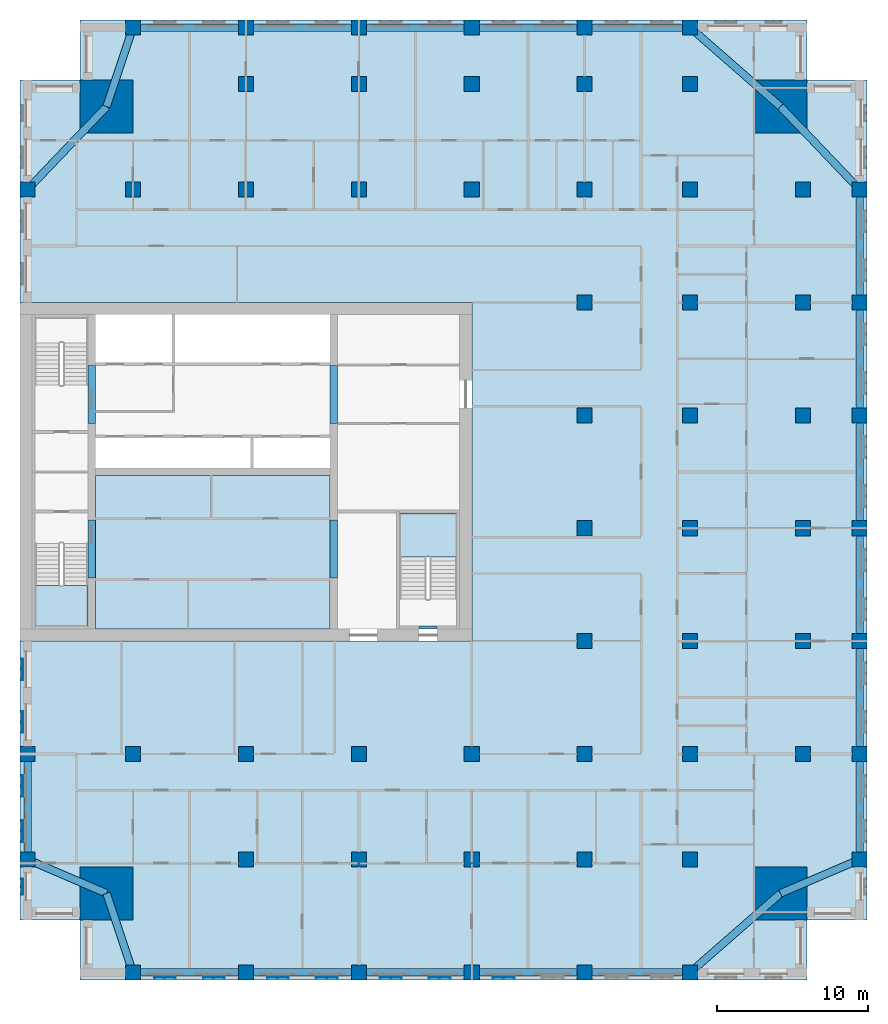
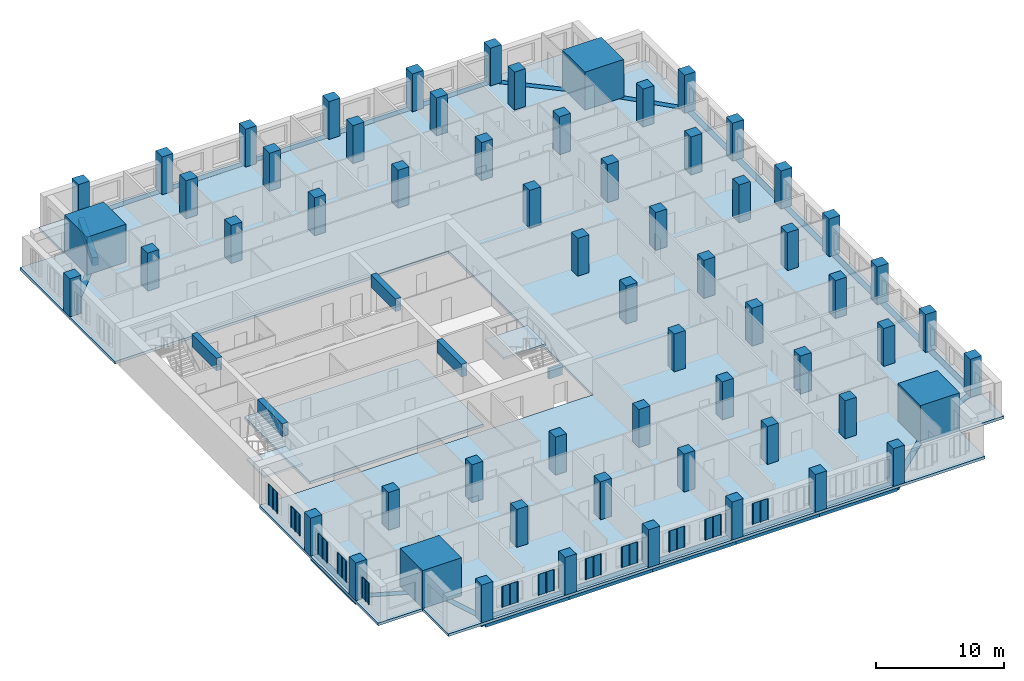
# One storey, part 1 of 14: 62 columns, 30 beams, 12 plates, 4 slabs, 2 elements without a shape of their own.
"""IFC4 building model written with IfcOpenShell, lengths in metres."""

from ifc_helpers import new_model, si_unit, direction, frame, origin, origin_2d, place, context, subcontext, project, spatial, polyline, rectangle, outline, extrude, material, layer, layer_set, material_profile, profile_set, type_object, element, aggregate, save


model = new_model("IFC4")

# Units and contexts
model_context = context("Model", 3, precision=1e-05, world=origin(), true_north=direction((0.0, 1.0)))
body_context = subcontext(model_context, "Body", "Model", "MODEL_VIEW")
ifc_project = project(units=[si_unit("LENGTHUNIT", "METRE"), si_unit("AREAUNIT", "SQUARE_METRE"), si_unit("VOLUMEUNIT", "CUBIC_METRE"), si_unit("PLANEANGLEUNIT", "RADIAN"), si_unit("MASSUNIT", "GRAM", prefix="KILO")], contexts=[model_context])

# Site, building, storey
site_placement = place(None, origin())
site = spatial("IfcSite", under=ifc_project, at=site_placement, CompositionType="ELEMENT")
building_placement = place(site_placement, origin())
building = spatial("IfcBuilding", under=site, at=building_placement, Name="Tamorin Gate", CompositionType="ELEMENT")
storey_placement = place(building_placement, frame((0.0, 0.0, 137.39990234375)))
storey = spatial("IfcBuildingStorey", under=building, at=storey_placement, Name="L33", CompositionType="ELEMENT", Elevation=137.39990234375)

# Columns
ifc_material_1 = material(Name="Concrete C70/85", Category="concrete")
ifc_material_profile_1 = material_profile(ifc_material_1, rectangle(XDim=1.0, YDim=1.0, at=origin_2d()), Name="RC 1000x1000")
ifc_profile_set_1 = profile_set([ifc_material_profile_1], Name="Concrete C70/85")
column_type_1 = type_object("IfcColumnType", Name="RC column 1000x1000 C70/85", PredefinedType="COLUMN", material=ifc_profile_set_1)
for number, where, z_axis, x_axis, name in (
    (1, (85.75, 45.5, 0.0), (0.0, 0.0, 1.0), (1.0, 0.0, 0.0), "Ring column L33"),
    (2, (85.75, 52.5, 0.0), (0.0, 0.0, 1.0), (1.0, 0.0, 0.0), "Ring column L33"),
    (3, (85.75, 60.0, 0.0), (0.0, 0.0, 1.0), (1.0, 0.0, 0.0), "Ring column L33"),
    (4, (85.75, 67.5, 0.0), (0.0, 0.0, 1.0), (1.0, 0.0, 0.0), "Ring column L33"),
    (5, (85.75, 75.0, 0.0), (0.0, 0.0, 1.0), (1.0, 0.0, 0.0), "Ring column L33"),
    (6, (85.75, 82.5, 0.0), (0.0, 0.0, 1.0), (1.0, 0.0, 0.0), "Ring column L33"),
    (7, (85.75, 90.0, 0.0), (0.0, 0.0, 1.0), (1.0, 0.0, 0.0), "Ring column L33"),
    (8, (37.5, 100.75, 0.0), (0.0, 0.0, 1.0), (1.0, 0.0, 0.0), "Ring column L33"),
    (9, (45.0, 100.75, 0.0), (0.0, 0.0, 1.0), (1.0, 0.0, 0.0), "Ring column L33"),
    (10, (52.5, 100.75, 0.0), (0.0, 0.0, 1.0), (1.0, 0.0, 0.0), "Ring column L33"),
    (11, (60.0, 100.75, 0.0), (0.0, 0.0, 1.0), (1.0, 0.0, 0.0), "Ring column L33"),
    (12, (67.5, 100.75, 0.0), (0.0, 0.0, 1.0), (1.0, 0.0, 0.0), "Ring column L33"),
    (13, (74.5, 100.75, 0.0), (0.0, 0.0, 1.0), (1.0, 0.0, 0.0), "Ring column L33"),
    (14, (30.5, 45.5, 0.0), (0.0, 0.0, 1.0), (1.0, 0.0, 0.0), "Ring column L33"),
    (15, (30.5, 52.5, 0.0), (0.0, 0.0, 1.0), (1.0, 0.0, 0.0), "Ring column L33"),
    (16, (30.5, 90.0, 0.0), (0.0, 0.0, 1.0), (1.0, 0.0, 0.0), "Ring column L33"),
    (17, (37.5, 38.0, 0.0), (0.0, 0.0, 1.0), (1.0, 0.0, 0.0), "Ring column L33"),
    (18, (37.5, 52.5, 0.0), (0.0, 0.0, 1.0), (1.0, 0.0, 0.0), "Interior column L33"),
    (19, (37.5, 90.0, 0.0), (0.0, 0.0, 1.0), (1.0, 0.0, 0.0), "Interior column L33"),
    (20, (45.0, 38.0, 0.0), (0.0, 0.0, 1.0), (1.0, 0.0, 0.0), "Ring column L33"),
    (21, (45.0, 45.5, 0.0), (0.0, 0.0, 1.0), (1.0, 0.0, 0.0), "Interior column L33"),
    (22, (45.0, 52.5, 0.0), (0.0, 0.0, 1.0), (1.0, 0.0, 0.0), "Interior column L33"),
    (23, (45.0, 90.0, 0.0), (0.0, 0.0, 1.0), (1.0, 0.0, 0.0), "Interior column L33"),
    (24, (45.0, 97.0, 0.0), (0.0, 0.0, 1.0), (1.0, 0.0, 0.0), "Interior column L33"),
    (25, (52.5, 38.0, 0.0), (0.0, 0.0, 1.0), (1.0, 0.0, 0.0), "Ring column L33"),
    (26, (52.5, 45.5, 0.0), (0.0, 0.0, 1.0), (1.0, 0.0, 0.0), "Interior column L33"),
    (27, (52.5, 52.5, 0.0), (0.0, 0.0, 1.0), (1.0, 0.0, 0.0), "Interior column L33"),
    (28, (52.5, 90.0, 0.0), (0.0, 0.0, 1.0), (1.0, 0.0, 0.0), "Interior column L33"),
    (29, (52.5, 97.0, 0.0), (0.0, 0.0, 1.0), (1.0, 0.0, 0.0), "Interior column L33"),
    (30, (60.0, 38.0, 0.0), (0.0, 0.0, 1.0), (1.0, 0.0, 0.0), "Ring column L33"),
    (31, (60.0, 45.5, 0.0), (0.0, 0.0, 1.0), (1.0, 0.0, 0.0), "Interior column L33"),
    (32, (60.0, 52.5, 0.0), (0.0, 0.0, 1.0), (1.0, 0.0, 0.0), "Interior column L33"),
    (33, (60.0, 90.0, 0.0), (0.0, 0.0, 1.0), (1.0, 0.0, 0.0), "Interior column L33"),
    (34, (60.0, 97.0, 0.0), (0.0, 0.0, 1.0), (1.0, 0.0, 0.0), "Interior column L33"),
    (35, (67.5, 38.0, 0.0), (0.0, 0.0, 1.0), (1.0, 0.0, 0.0), "Ring column L33"),
    (36, (67.5, 45.5, 0.0), (0.0, 0.0, 1.0), (1.0, 0.0, 0.0), "Interior column L33"),
    (37, (67.5, 52.5, 0.0), (0.0, 0.0, 1.0), (1.0, 0.0, 0.0), "Interior column L33"),
    (38, (67.5, 60.0, 0.0), (0.0, 0.0, 1.0), (1.0, 0.0, 0.0), "Interior column L33"),
    (39, (67.5, 67.5, 0.0), (0.0, 0.0, 1.0), (1.0, 0.0, 0.0), "Interior column L33"),
    (40, (67.5, 75.0, 0.0), (0.0, 0.0, 1.0), (1.0, 0.0, 0.0), "Interior column L33"),
    (41, (67.5, 82.5, 0.0), (0.0, 0.0, 1.0), (1.0, 0.0, 0.0), "Interior column L33"),
    (42, (67.5, 90.0, 0.0), (0.0, 0.0, 1.0), (1.0, 0.0, 0.0), "Interior column L33"),
    (43, (67.5, 97.0, 0.0), (0.0, 0.0, 1.0), (1.0, 0.0, 0.0), "Interior column L33"),
    (44, (74.5, 38.0, 0.0), (0.0, 0.0, 1.0), (1.0, 0.0, 0.0), "Ring column L33"),
    (45, (74.5, 45.5, 0.0), (0.0, 0.0, 1.0), (1.0, 0.0, 0.0), "Interior column L33"),
    (46, (74.5, 52.5, 0.0), (0.0, 0.0, 1.0), (1.0, 0.0, 0.0), "Interior column L33"),
    (47, (74.5, 60.0, 0.0), (0.0, 0.0, 1.0), (1.0, 0.0, 0.0), "Interior column L33"),
    (48, (74.5, 67.5, 0.0), (0.0, 0.0, 1.0), (1.0, 0.0, 0.0), "Interior column L33"),
    (49, (74.5, 75.0, 0.0), (0.0, 0.0, 1.0), (1.0, 0.0, 0.0), "Interior column L33"),
    (50, (74.5, 82.5, 0.0), (0.0, 0.0, 1.0), (1.0, 0.0, 0.0), "Interior column L33"),
    (51, (74.5, 90.0, 0.0), (0.0, 0.0, 1.0), (1.0, 0.0, 0.0), "Interior column L33"),
    (52, (74.5, 97.0, 0.0), (0.0, 0.0, 1.0), (1.0, 0.0, 0.0), "Interior column L33"),
    (53, (82.0, 52.5, 0.0), (0.0, 0.0, 1.0), (1.0, 0.0, 0.0), "Interior column L33"),
    (54, (82.0, 60.0, 0.0), (0.0, 0.0, 1.0), (1.0, 0.0, 0.0), "Interior column L33"),
    (55, (82.0, 67.5, 0.0), (0.0, 0.0, 1.0), (1.0, 0.0, 0.0), "Interior column L33"),
    (56, (82.0, 75.0, 0.0), (0.0, 0.0, 1.0), (1.0, 0.0, 0.0), "Interior column L33"),
    (57, (82.0, 82.5, 0.0), (0.0, 0.0, 1.0), (1.0, 0.0, 0.0), "Interior column L33"),
    (58, (82.0, 90.0, 0.0), (0.0, 0.0, 1.0), (1.0, 0.0, 0.0), "Interior column L33"),
):
    element("IfcColumn", number, at=place(storey_placement, frame(where, z_axis=z_axis, x_axis=x_axis)), inside=storey, type_object=column_type_1, Name=name, PredefinedType="COLUMN", context=body_context, shape_type="SweptSolid", body=[
        extrude(rectangle(XDim=1.0, YDim=1.0, at=origin_2d()), origin(), (0.0, 0.0, 1.0), 3.60009765625),
    ])
ifc_material_profile_2 = material_profile(ifc_material_1, rectangle(XDim=3.5, YDim=3.5, at=origin_2d()), Name="RC 3500x3500")
ifc_profile_set_2 = profile_set([ifc_material_profile_2], Name="Concrete C70/85")
column_type_2 = type_object("IfcColumnType", Name="RC column 3500x3500 C70/85", PredefinedType="COLUMN", material=ifc_profile_set_2)
for number, where, z_axis, x_axis, name in (
    (59, (35.75, 43.25, 0.0), (0.0, 0.0, 1.0), (1.0, 0.0, 0.0), "Mega column SW L33"),
    (60, (80.5, 43.25, 0.0), (0.0, 0.0, 1.0), (1.0, 0.0, 0.0), "Mega column SE L33"),
    (61, (35.75, 95.5, 0.0), (0.0, 0.0, 1.0), (1.0, 0.0, 0.0), "Mega column NW L33"),
    (62, (80.5, 95.5, 0.0), (0.0, 0.0, 1.0), (1.0, 0.0, 0.0), "Mega column NE L33"),
):
    element("IfcColumn", number, at=place(storey_placement, frame(where, z_axis=z_axis, x_axis=x_axis)), inside=storey, type_object=column_type_2, Name=name, PredefinedType="COLUMN", context=body_context, shape_type="SweptSolid", body=[
        extrude(rectangle(XDim=3.5, YDim=3.5, at=origin_2d()), origin(), (0.0, 0.0, 1.0), 3.60009765625),
    ])

# Beams
ifc_material_2 = material(Name="Concrete C60/75", Category="concrete")
ifc_material_profile_3 = material_profile(ifc_material_2, rectangle(XDim=0.5, YDim=1.199951171875, at=origin_2d()), Name="RC 500x1200")
ifc_profile_set_3 = profile_set([ifc_material_profile_3], Name="Concrete C60/75")
beam_type_1 = type_object("IfcBeamType", Name="RC coupling beam 500x1200 C60/75", PredefinedType="BEAM", material=ifc_profile_set_3)
for number, where, z_axis, x_axis, name in (
    (63, (34.75, 64.199951171875, 3.0), (0.0, 1.0, 0.0), (-1.0, 0.0, 0.0), "Coupling beam L33"),
    (64, (34.75, 74.449951171875, 3.0), (0.0, 1.0, 0.0), (-1.0, 0.0, 0.0), "Coupling beam L33"),
    (65, (50.85009765625, 64.199951171875, 3.0), (0.0, 1.0, 0.0), (-1.0, 0.0, 0.0), "Coupling beam L33"),
    (66, (50.85009765625, 74.449951171875, 3.0), (0.0, 1.0, 0.0), (-1.0, 0.0, 0.0), "Coupling beam L33"),
):
    element("IfcBeam", number, at=place(storey_placement, frame(where, z_axis=z_axis, x_axis=x_axis)), inside=storey, type_object=beam_type_1, Name=name, PredefinedType="BEAM", context=body_context, shape_type="SweptSolid", body=[
        extrude(rectangle(XDim=0.5, YDim=1.199951171875, at=origin_2d()), origin(), (0.0, 0.0, 1.0), 3.85009765625),
    ])
ifc_material_3 = material(Name="Concrete C50/60", Category="concrete")
ifc_material_profile_4 = material_profile(ifc_material_3, rectangle(XDim=0.5, YDim=0.75, at=origin_2d()), Name="RC 500x750")
ifc_profile_set_4 = profile_set([ifc_material_profile_4], Name="Concrete C50/60")
beam_type_2 = type_object("IfcBeamType", Name="RC spandrel 500x750 C50/60", PredefinedType="BEAM", material=ifc_profile_set_4)
for number, where, z_axis, x_axis, name in (
    (67, (37.5, 38.0, -0.375), (1.0, 0.0, 0.0), (0.0, 1.0, 0.0), "Spandrel beam L33"),
    (68, (45.0, 38.0, -0.375), (1.0, 0.0, 0.0), (0.0, 1.0, 0.0), "Spandrel beam L33"),
    (69, (52.5, 38.0, -0.375), (1.0, 0.0, 0.0), (0.0, 1.0, 0.0), "Spandrel beam L33"),
    (70, (60.0, 38.0, -0.375), (1.0, 0.0, 0.0), (0.0, 1.0, 0.0), "Spandrel beam L33"),
):
    element("IfcBeam", number, at=place(storey_placement, frame(where, z_axis=z_axis, x_axis=x_axis)), inside=storey, type_object=beam_type_2, Name=name, PredefinedType="BEAM", context=body_context, shape_type="SweptSolid", body=[
        extrude(rectangle(XDim=0.5, YDim=0.75, at=origin_2d()), origin(), (0.0, 0.0, 1.0), 7.5),
    ])
for number, where, z_axis, x_axis, name in (
    (71, (67.5, 38.0, -0.375), (1.0, 0.0, 0.0), (0.0, 1.0, 0.0), "Spandrel beam L33"),
    (72, (85.75, 45.5, -0.375), (0.0, 1.0, 0.0), (-1.0, 0.0, 0.0), "Spandrel beam L33"),
):
    element("IfcBeam", number, at=place(storey_placement, frame(where, z_axis=z_axis, x_axis=x_axis)), inside=storey, type_object=beam_type_2, Name=name, PredefinedType="BEAM", context=body_context, shape_type="SweptSolid", body=[
        extrude(rectangle(XDim=0.5, YDim=0.75, at=origin_2d()), origin(), (0.0, 0.0, 1.0), 7.0),
    ])
for number, where, z_axis, x_axis, name in (
    (73, (85.75, 52.5, -0.375), (0.0, 1.0, 0.0), (-1.0, 0.0, 0.0), "Spandrel beam L33"),
    (74, (85.75, 60.0, -0.375), (0.0, 1.0, 0.0), (-1.0, 0.0, 0.0), "Spandrel beam L33"),
    (75, (85.75, 67.5, -0.375), (0.0, 1.0, 0.0), (-1.0, 0.0, 0.0), "Spandrel beam L33"),
    (76, (85.75, 75.0, -0.375), (0.0, 1.0, 0.0), (-1.0, 0.0, 0.0), "Spandrel beam L33"),
    (77, (85.75, 82.5, -0.375), (0.0, 1.0, 0.0), (-1.0, 0.0, 0.0), "Spandrel beam L33"),
):
    element("IfcBeam", number, at=place(storey_placement, frame(where, z_axis=z_axis, x_axis=x_axis)), inside=storey, type_object=beam_type_2, Name=name, PredefinedType="BEAM", context=body_context, shape_type="SweptSolid", body=[
        extrude(rectangle(XDim=0.5, YDim=0.75, at=origin_2d()), origin(), (0.0, 0.0, 1.0), 7.5),
    ])
beam_1_placement = place(storey_placement, frame((74.5, 100.75, -0.375), z_axis=(-1.0, 0.0, 0.0), x_axis=(0.0, -1.0, 0.0)))
element("IfcBeam", 78, at=beam_1_placement, inside=storey, type_object=beam_type_2, Name="Spandrel beam L33", PredefinedType="BEAM", context=body_context, shape_type="SweptSolid", body=[
    extrude(rectangle(XDim=0.5, YDim=0.75, at=origin_2d()), origin(), (0.0, 0.0, 1.0), 7.0),
])
for number, where, z_axis, x_axis, name in (
    (79, (67.5, 100.75, -0.375), (-1.0, 0.0, 0.0), (0.0, -1.0, 0.0), "Spandrel beam L33"),
    (80, (60.0, 100.75, -0.375), (-1.0, 0.0, 0.0), (0.0, -1.0, 0.0), "Spandrel beam L33"),
    (81, (52.5, 100.75, -0.375), (-1.0, 0.0, 0.0), (0.0, -1.0, 0.0), "Spandrel beam L33"),
    (82, (45.0, 100.75, -0.375), (-1.0, 0.0, 0.0), (0.0, -1.0, 0.0), "Spandrel beam L33"),
):
    element("IfcBeam", number, at=place(storey_placement, frame(where, z_axis=z_axis, x_axis=x_axis)), inside=storey, type_object=beam_type_2, Name=name, PredefinedType="BEAM", context=body_context, shape_type="SweptSolid", body=[
        extrude(rectangle(XDim=0.5, YDim=0.75, at=origin_2d()), origin(), (0.0, 0.0, 1.0), 7.5),
    ])
beam_2_placement = place(storey_placement, frame((30.5, 52.5, -0.375), z_axis=(0.0, -1.0, 0.0), x_axis=(1.0, 0.0, 0.0)))
element("IfcBeam", 83, at=beam_2_placement, inside=storey, type_object=beam_type_2, Name="Spandrel beam L33", PredefinedType="BEAM", context=body_context, shape_type="SweptSolid", body=[
    extrude(rectangle(XDim=0.5, YDim=0.75, at=origin_2d()), origin(), (0.0, 0.0, 1.0), 7.0),
])
beam_3_placement = place(storey_placement, frame((35.75, 43.25, -0.375), z_axis=(0.316227766017, -0.948683298051, 0.0), x_axis=(0.948683298051, 0.316227766017, 0.0)))
element("IfcBeam", 84, at=beam_3_placement, inside=storey, type_object=beam_type_2, Name="Corner tie beam L33", PredefinedType="BEAM", context=body_context, shape_type="SweptSolid", body=[
    extrude(rectangle(XDim=0.5, YDim=0.75, at=origin_2d()), origin(), (0.0, 0.0, 1.0), 5.533935546875),
])
for number, where, z_axis, x_axis, name in (
    (85, (35.75, 43.25, -0.375), (-0.919145030018, 0.393919298579, 0.0), (-0.393919298579, -0.919145030018, 0.0), "Corner tie beam L33"),
    (86, (80.5, 43.25, -0.375), (0.919145030018, 0.393919298579, 0.0), (-0.393919298579, 0.919145030018, 0.0), "Corner tie beam L33"),
):
    element("IfcBeam", number, at=place(storey_placement, frame(where, z_axis=z_axis, x_axis=x_axis)), inside=storey, type_object=beam_type_2, Name=name, PredefinedType="BEAM", context=body_context, shape_type="SweptSolid", body=[
        extrude(rectangle(XDim=0.5, YDim=0.75, at=origin_2d()), origin(), (0.0, 0.0, 1.0), 5.7119140625),
    ])
beam_4_placement = place(storey_placement, frame((80.5, 43.25, -0.375), z_axis=(-0.752576694707, -0.658504607869, 0.0), x_axis=(0.658504607869, -0.752576694707, 0.0)))
element("IfcBeam", 87, at=beam_4_placement, inside=storey, type_object=beam_type_2, Name="Corner tie beam L33", PredefinedType="BEAM", context=body_context, shape_type="SweptSolid", body=[
    extrude(rectangle(XDim=0.5, YDim=0.75, at=origin_2d()), origin(), (0.0, 0.0, 1.0), 7.97265625),
])
beam_5_placement = place(storey_placement, frame((35.75, 95.5, -0.375), z_axis=(0.316227766017, 0.948683298051, 0.0), x_axis=(-0.948683298051, 0.316227766017, 0.0)))
element("IfcBeam", 88, at=beam_5_placement, inside=storey, type_object=beam_type_2, Name="Corner tie beam L33", PredefinedType="BEAM", context=body_context, shape_type="SweptSolid", body=[
    extrude(rectangle(XDim=0.5, YDim=0.75, at=origin_2d()), origin(), (0.0, 0.0, 1.0), 5.533935546875),
])
for number, where, z_axis, x_axis, name in (
    (89, (35.75, 95.5, -0.375), (-0.690475746683, -0.723355544144, 0.0), (0.723355544144, -0.690475746683, 0.0), "Corner tie beam L33"),
    (90, (80.5, 95.5, -0.375), (0.690475746683, -0.723355544144, 0.0), (0.723355544144, 0.690475746683, 0.0), "Corner tie beam L33"),
):
    element("IfcBeam", number, at=place(storey_placement, frame(where, z_axis=z_axis, x_axis=x_axis)), inside=storey, type_object=beam_type_2, Name=name, PredefinedType="BEAM", context=body_context, shape_type="SweptSolid", body=[
        extrude(rectangle(XDim=0.5, YDim=0.75, at=origin_2d()), origin(), (0.0, 0.0, 1.0), 7.603515625),
    ])
beam_6_placement = place(storey_placement, frame((80.5, 95.5, -0.375), z_axis=(-0.752576694707, 0.658504607869, 0.0), x_axis=(-0.658504607869, -0.752576694707, 0.0)))
element("IfcBeam", 91, at=beam_6_placement, inside=storey, type_object=beam_type_2, Name="Corner tie beam L33", PredefinedType="BEAM", context=body_context, shape_type="SweptSolid", body=[
    extrude(rectangle(XDim=0.5, YDim=0.75, at=origin_2d()), origin(), (0.0, 0.0, 1.0), 7.97265625),
])
ifc_material_profile_5 = material_profile(ifc_material_2, rectangle(XDim=0.199951171875, YDim=1.0, at=origin_2d()))
ifc_profile_set_5 = profile_set([ifc_material_profile_5], Name="Concrete C60/75")
beam_type_3 = type_object("IfcBeamType", Name="Stair lintel 200x1000 C60/75", PredefinedType="BEAM", material=ifc_profile_set_5)
beam_7_placement = place(storey_placement, frame((56.5, 60.89990234375, 2.7001953125), z_axis=(1.0, 0.0, 0.0), x_axis=(0.0, 1.0, 0.0)))
element("IfcBeam", 92, at=beam_7_placement, inside=storey, type_object=beam_type_3, Name="Stair lintel", PredefinedType="BEAM", context=body_context, shape_type="SweptSolid", body=[
    extrude(rectangle(XDim=0.199951171875, YDim=1.0, at=origin_2d()), origin(), (0.0, 0.0, 1.0), 1.199951171875),
])

# Slab
ifc_material_4 = material(Name="Concrete C40/50", Category="concrete")
ifc_layer_1 = layer(ifc_material_4, 0.25)
ifc_layer_set_1 = layer_set([ifc_layer_1], Name="Core floor slab 250 C40/50")
slab_type_1 = type_object("IfcSlabType", Name="Core floor slab 250 C40/50", PredefinedType="FLOOR", material=ifc_layer_set_1)
slab_1_placement = place(storey_placement, frame((0.0, 0.0, -0.25)))
element("IfcSlab", 93, at=slab_1_placement, inside=storey, type_object=slab_type_1, Name="Core floor L33", PredefinedType="FLOOR", context=body_context, shape_type="SweptSolid", body=[
    extrude(outline(polyline([(50.60009765625, 71.0), (50.60009765625, 60.800048828125), (35.0, 60.800048828125), (35.0, 71.0), (50.60009765625, 71.0)])), origin(), (0.0, 0.0, 1.0), 0.25),
])

# Stair, slab
stair_type = type_object("IfcStairType", Name="Exit stair", PredefinedType="HALF_TURN_STAIR", material=ifc_material_4)
stair_1_placement = place(storey_placement, origin())
stair_1 = element("IfcStair", 94, at=stair_1_placement, inside=storey, type_object=stair_type, Name="L33 stair ST1", PredefinedType="HALF_TURN_STAIR")
ifc_layer_2 = layer(ifc_material_4, 0.199951171875)
ifc_layer_set_2 = layer_set([ifc_layer_2], Name="Exit stair landing 200")
slab_type_2 = type_object("IfcSlabType", Name="Exit stair landing 200", PredefinedType="LANDING", material=ifc_layer_set_2)
slab_2_placement = place(storey_placement, frame((0.0, 0.0, 1.60009765625)))
slab_2 = element("IfcSlab", 95, at=slab_2_placement, type_object=slab_type_2, Name="ST1 landing 1", PredefinedType="LANDING", context=body_context, shape_type="SweptSolid", body=[
    extrude(outline(polyline([(31.0, 63.699951171875), (31.0, 61.0), (34.5, 61.0), (34.5, 63.699951171875), (31.0, 63.699951171875)])), origin(), (0.0, 0.0, 1.0), 0.199951171875),
])
aggregate(stair_1, [slab_2])

stair_2_placement = place(storey_placement, origin())
stair_2 = element("IfcStair", 96, at=stair_2_placement, inside=storey, type_object=stair_type, Name="L33 stair ST3", PredefinedType="HALF_TURN_STAIR")
slab_3_placement = place(storey_placement, frame((0.0, 0.0, 1.60009765625)))
slab_3 = element("IfcSlab", 97, at=slab_3_placement, type_object=slab_type_2, Name="ST3 landing 1", PredefinedType="LANDING", context=body_context, shape_type="SweptSolid", body=[
    extrude(outline(polyline([(59.0, 65.60009765625), (59.0, 68.5), (55.199951171875, 68.5), (55.199951171875, 65.60009765625), (59.0, 65.60009765625)])), origin(), (0.0, 0.0, 1.0), 0.199951171875),
])
aggregate(stair_2, [slab_3])

# Slab
ifc_layer_3 = layer(ifc_material_4, 0.25)
ifc_layer_set_3 = layer_set([ifc_layer_3], Name="Floor slab 250 C40/50")
slab_type_3 = type_object("IfcSlabType", Name="Floor slab 250 C40/50", PredefinedType="FLOOR", material=ifc_layer_set_3)
slab_4_placement = place(storey_placement, frame((0.0, 0.0, -0.25)))
element("IfcSlab", 98, at=slab_4_placement, inside=storey, type_object=slab_type_3, Name="Floor L33", PredefinedType="FLOOR", context=body_context, shape_type="SweptSolid", body=[
    extrude(outline(polyline([(30.0, 97.25), (34.0, 97.25), (34.0, 101.25), (82.25, 101.25), (82.25, 97.25), (86.25, 97.25), (86.25, 41.5), (82.25, 41.5), (82.25, 37.5), (34.0, 37.5), (34.0, 41.5), (30.0, 41.5), (30.0, 60.0), (60.0, 60.0), (60.0, 82.5), (30.0, 82.5), (30.0, 97.25)])), origin(), (0.0, 0.0, 1.0), 0.25),
])

# Plates
ifc_material_5 = material(Name="Perforated pale aluminium sheet", Category="aluminium")
ifc_layer_4 = layer(ifc_material_5, 0.0400390625)
ifc_layer_set_4 = layer_set([ifc_layer_4], Name="Pale metal solar screen 1080")
plate_type_1 = type_object("IfcPlateType", Name="Pale metal solar screen 1080", PredefinedType="SHEET", material=ifc_layer_set_4)
plate_1_placement = place(storey_placement, frame((0.0, 0.0, 0.710205078125)))
element("IfcPlate", 99, at=plate_1_placement, inside=storey, type_object=plate_type_1, Name="Perforated solar screen", PredefinedType="SHEET", context=body_context, shape_type="SweptSolid", body=[
    extrude(outline(polyline([(30.159912109375, 44.239990234375), (30.199951171875, 44.239990234375), (30.199951171875, 44.179931640625), (30.199951171875, 43.72998046875), (30.199951171875, 43.669921875), (30.199951171875, 43.219970703125), (30.199951171875, 43.159912109375), (30.159912109375, 43.159912109375), (30.10009765625, 43.159912109375), (30.10009765625, 43.219970703125), (30.159912109375, 43.219970703125), (30.159912109375, 43.669921875), (30.10009765625, 43.669921875), (30.10009765625, 43.72998046875), (30.159912109375, 43.72998046875), (30.159912109375, 44.179931640625), (30.10009765625, 44.179931640625), (30.10009765625, 44.239990234375), (30.159912109375, 44.239990234375)])), origin(), (0.0, 0.0, 1.0), 1.97998046875),
])
ifc_layer_5 = layer(ifc_material_5, 0.0400390625)
ifc_layer_set_5 = layer_set([ifc_layer_5], Name="Pale metal solar screen 1440")
plate_type_2 = type_object("IfcPlateType", Name="Pale metal solar screen 1440", PredefinedType="SHEET", material=ifc_layer_set_5)
plate_2_placement = place(storey_placement, frame((0.0, 0.0, 0.710205078125)))
element("IfcPlate", 100, at=plate_2_placement, inside=storey, type_object=plate_type_2, Name="Perforated solar screen", PredefinedType="SHEET", context=body_context, shape_type="SweptSolid", body=[
    extrude(outline(polyline([(38.905029296875, 37.659912109375), (38.905029296875, 37.699951171875), (38.965087890625, 37.699951171875), (39.594970703125, 37.699951171875), (39.655029296875, 37.699951171875), (40.284912109375, 37.699951171875), (40.344970703125, 37.699951171875), (40.344970703125, 37.699951171875), (40.344970703125, 37.659912109375), (40.344970703125, 37.659912109375), (40.344970703125, 37.60009765625), (40.284912109375, 37.60009765625), (40.284912109375, 37.659912109375), (39.655029296875, 37.659912109375), (39.655029296875, 37.60009765625), (39.594970703125, 37.60009765625), (39.594970703125, 37.659912109375), (38.965087890625, 37.659912109375), (38.965087890625, 37.60009765625), (38.905029296875, 37.60009765625), (38.905029296875, 37.659912109375)])), origin(), (0.0, 0.0, 1.0), 1.97998046875),
])
plate_3_placement = place(storey_placement, frame((0.0, 0.0, 0.710205078125)))
element("IfcPlate", 101, at=plate_3_placement, inside=storey, type_object=plate_type_2, Name="Perforated solar screen", PredefinedType="SHEET", context=body_context, shape_type="SweptSolid", body=[
    extrude(outline(polyline([(42.155029296875, 37.659912109375), (42.155029296875, 37.699951171875), (42.215087890625, 37.699951171875), (42.844970703125, 37.699951171875), (42.905029296875, 37.699951171875), (43.534912109375, 37.699951171875), (43.594970703125, 37.699951171875), (43.594970703125, 37.659912109375), (43.594970703125, 37.60009765625), (43.534912109375, 37.60009765625), (43.534912109375, 37.659912109375), (42.905029296875, 37.659912109375), (42.905029296875, 37.60009765625), (42.844970703125, 37.60009765625), (42.844970703125, 37.659912109375), (42.215087890625, 37.659912109375), (42.215087890625, 37.60009765625), (42.155029296875, 37.60009765625), (42.155029296875, 37.659912109375)])), origin(), (0.0, 0.0, 1.0), 1.97998046875),
])
plate_4_placement = place(storey_placement, frame((0.0, 0.0, 0.710205078125)))
element("IfcPlate", 102, at=plate_4_placement, inside=storey, type_object=plate_type_2, Name="Perforated solar screen", PredefinedType="SHEET", context=body_context, shape_type="SweptSolid", body=[
    extrude(outline(polyline([(46.405029296875, 37.659912109375), (46.405029296875, 37.699951171875), (46.465087890625, 37.699951171875), (47.094970703125, 37.699951171875), (47.155029296875, 37.699951171875), (47.784912109375, 37.699951171875), (47.844970703125, 37.699951171875), (47.844970703125, 37.659912109375), (47.844970703125, 37.60009765625), (47.784912109375, 37.60009765625), (47.784912109375, 37.659912109375), (47.155029296875, 37.659912109375), (47.155029296875, 37.60009765625), (47.094970703125, 37.60009765625), (47.094970703125, 37.659912109375), (46.465087890625, 37.659912109375), (46.465087890625, 37.60009765625), (46.405029296875, 37.60009765625), (46.405029296875, 37.659912109375)])), origin(), (0.0, 0.0, 1.0), 1.97998046875),
])
plate_5_placement = place(storey_placement, frame((0.0, 0.0, 0.710205078125)))
element("IfcPlate", 103, at=plate_5_placement, inside=storey, type_object=plate_type_2, Name="Perforated solar screen", PredefinedType="SHEET", context=body_context, shape_type="SweptSolid", body=[
    extrude(outline(polyline([(49.655029296875, 37.659912109375), (49.655029296875, 37.699951171875), (49.715087890625, 37.699951171875), (50.344970703125, 37.699951171875), (50.405029296875, 37.699951171875), (51.034912109375, 37.699951171875), (51.094970703125, 37.699951171875), (51.094970703125, 37.659912109375), (51.094970703125, 37.60009765625), (51.034912109375, 37.60009765625), (51.034912109375, 37.659912109375), (50.405029296875, 37.659912109375), (50.405029296875, 37.60009765625), (50.344970703125, 37.60009765625), (50.344970703125, 37.659912109375), (49.715087890625, 37.659912109375), (49.715087890625, 37.60009765625), (49.655029296875, 37.60009765625), (49.655029296875, 37.659912109375)])), origin(), (0.0, 0.0, 1.0), 1.97998046875),
])
plate_6_placement = place(storey_placement, frame((0.0, 0.0, 0.710205078125)))
element("IfcPlate", 104, at=plate_6_placement, inside=storey, type_object=plate_type_2, Name="Perforated solar screen", PredefinedType="SHEET", context=body_context, shape_type="SweptSolid", body=[
    extrude(outline(polyline([(53.905029296875, 37.659912109375), (53.905029296875, 37.699951171875), (53.965087890625, 37.699951171875), (54.594970703125, 37.699951171875), (54.655029296875, 37.699951171875), (55.284912109375, 37.699951171875), (55.344970703125, 37.699951171875), (55.344970703125, 37.659912109375), (55.344970703125, 37.60009765625), (55.284912109375, 37.60009765625), (55.284912109375, 37.659912109375), (54.655029296875, 37.659912109375), (54.655029296875, 37.60009765625), (54.594970703125, 37.60009765625), (54.594970703125, 37.659912109375), (53.965087890625, 37.659912109375), (53.965087890625, 37.60009765625), (53.905029296875, 37.60009765625), (53.905029296875, 37.659912109375)])), origin(), (0.0, 0.0, 1.0), 1.97998046875),
])
plate_7_placement = place(storey_placement, frame((0.0, 0.0, 0.710205078125)))
element("IfcPlate", 105, at=plate_7_placement, inside=storey, type_object=plate_type_2, Name="Perforated solar screen", PredefinedType="SHEET", context=body_context, shape_type="SweptSolid", body=[
    extrude(outline(polyline([(57.155029296875, 37.659912109375), (57.155029296875, 37.699951171875), (57.215087890625, 37.699951171875), (57.844970703125, 37.699951171875), (57.905029296875, 37.699951171875), (58.534912109375, 37.699951171875), (58.594970703125, 37.699951171875), (58.594970703125, 37.659912109375), (58.594970703125, 37.60009765625), (58.534912109375, 37.60009765625), (58.534912109375, 37.659912109375), (57.905029296875, 37.659912109375), (57.905029296875, 37.60009765625), (57.844970703125, 37.60009765625), (57.844970703125, 37.659912109375), (57.215087890625, 37.659912109375), (57.215087890625, 37.60009765625), (57.155029296875, 37.60009765625), (57.155029296875, 37.659912109375)])), origin(), (0.0, 0.0, 1.0), 1.97998046875),
])
plate_8_placement = place(storey_placement, frame((0.0, 0.0, 0.710205078125)))
element("IfcPlate", 106, at=plate_8_placement, inside=storey, type_object=plate_type_2, Name="Perforated solar screen", PredefinedType="SHEET", context=body_context, shape_type="SweptSolid", body=[
    extrude(outline(polyline([(61.405029296875, 37.659912109375), (61.405029296875, 37.699951171875), (61.465087890625, 37.699951171875), (62.094970703125, 37.699951171875), (62.155029296875, 37.699951171875), (62.784912109375, 37.699951171875), (62.844970703125, 37.699951171875), (62.844970703125, 37.659912109375), (62.844970703125, 37.60009765625), (62.784912109375, 37.60009765625), (62.784912109375, 37.659912109375), (62.155029296875, 37.659912109375), (62.155029296875, 37.60009765625), (62.094970703125, 37.60009765625), (62.094970703125, 37.659912109375), (61.465087890625, 37.659912109375), (61.465087890625, 37.60009765625), (61.405029296875, 37.60009765625), (61.405029296875, 37.659912109375)])), origin(), (0.0, 0.0, 1.0), 1.97998046875),
])
plate_9_placement = place(storey_placement, frame((0.0, 0.0, 0.710205078125)))
element("IfcPlate", 107, at=plate_9_placement, inside=storey, type_object=plate_type_2, Name="Perforated solar screen", PredefinedType="SHEET", context=body_context, shape_type="SweptSolid", body=[
    extrude(outline(polyline([(30.159912109375, 55.344970703125), (30.199951171875, 55.344970703125), (30.199951171875, 55.284912109375), (30.199951171875, 54.655029296875), (30.199951171875, 54.594970703125), (30.199951171875, 53.965087890625), (30.199951171875, 53.905029296875), (30.159912109375, 53.905029296875), (30.10009765625, 53.905029296875), (30.10009765625, 53.965087890625), (30.159912109375, 53.965087890625), (30.159912109375, 54.594970703125), (30.10009765625, 54.594970703125), (30.10009765625, 54.655029296875), (30.159912109375, 54.655029296875), (30.159912109375, 55.284912109375), (30.10009765625, 55.284912109375), (30.10009765625, 55.344970703125), (30.159912109375, 55.344970703125)])), origin(), (0.0, 0.0, 1.0), 1.97998046875),
])
plate_10_placement = place(storey_placement, frame((0.0, 0.0, 0.710205078125)))
element("IfcPlate", 108, at=plate_10_placement, inside=storey, type_object=plate_type_2, Name="Perforated solar screen", PredefinedType="SHEET", context=body_context, shape_type="SweptSolid", body=[
    extrude(outline(polyline([(30.159912109375, 58.844970703125), (30.199951171875, 58.844970703125), (30.199951171875, 58.784912109375), (30.199951171875, 58.155029296875), (30.199951171875, 58.094970703125), (30.199951171875, 57.465087890625), (30.199951171875, 57.405029296875), (30.159912109375, 57.405029296875), (30.10009765625, 57.405029296875), (30.10009765625, 57.465087890625), (30.159912109375, 57.465087890625), (30.159912109375, 58.094970703125), (30.10009765625, 58.094970703125), (30.10009765625, 58.155029296875), (30.159912109375, 58.155029296875), (30.159912109375, 58.784912109375), (30.10009765625, 58.784912109375), (30.10009765625, 58.844970703125), (30.159912109375, 58.844970703125)])), origin(), (0.0, 0.0, 1.0), 1.97998046875),
])
plate_11_placement = place(storey_placement, frame((0.0, 0.0, 0.710205078125)))
element("IfcPlate", 109, at=plate_11_placement, inside=storey, type_object=plate_type_2, Name="Perforated solar screen", PredefinedType="SHEET", context=body_context, shape_type="SweptSolid", body=[
    extrude(outline(polyline([(30.159912109375, 48.094970703125), (30.199951171875, 48.094970703125), (30.199951171875, 48.034912109375), (30.199951171875, 47.405029296875), (30.199951171875, 47.344970703125), (30.199951171875, 46.715087890625), (30.199951171875, 46.655029296875), (30.159912109375, 46.655029296875), (30.10009765625, 46.655029296875), (30.10009765625, 46.715087890625), (30.159912109375, 46.715087890625), (30.159912109375, 47.344970703125), (30.10009765625, 47.344970703125), (30.10009765625, 47.405029296875), (30.159912109375, 47.405029296875), (30.159912109375, 48.034912109375), (30.10009765625, 48.034912109375), (30.10009765625, 48.094970703125), (30.159912109375, 48.094970703125)])), origin(), (0.0, 0.0, 1.0), 1.97998046875),
])
plate_12_placement = place(storey_placement, frame((0.0, 0.0, 0.710205078125)))
element("IfcPlate", 110, at=plate_12_placement, inside=storey, type_object=plate_type_2, Name="Perforated solar screen", PredefinedType="SHEET", context=body_context, shape_type="SweptSolid", body=[
    extrude(outline(polyline([(30.159912109375, 51.094970703125), (30.199951171875, 51.094970703125), (30.199951171875, 51.034912109375), (30.199951171875, 50.405029296875), (30.199951171875, 50.344970703125), (30.199951171875, 49.715087890625), (30.199951171875, 49.655029296875), (30.159912109375, 49.655029296875), (30.10009765625, 49.655029296875), (30.10009765625, 49.715087890625), (30.159912109375, 49.715087890625), (30.159912109375, 50.344970703125), (30.10009765625, 50.344970703125), (30.10009765625, 50.405029296875), (30.159912109375, 50.405029296875), (30.159912109375, 51.034912109375), (30.10009765625, 51.034912109375), (30.10009765625, 51.094970703125), (30.159912109375, 51.094970703125)])), origin(), (0.0, 0.0, 1.0), 1.97998046875),
])

save(model, "model.ifc")
